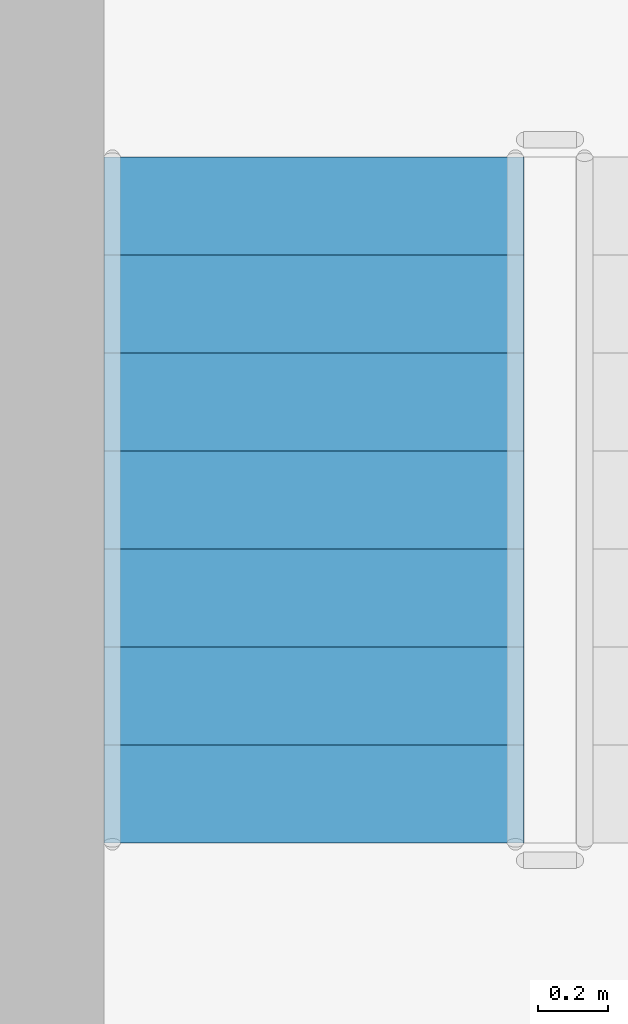
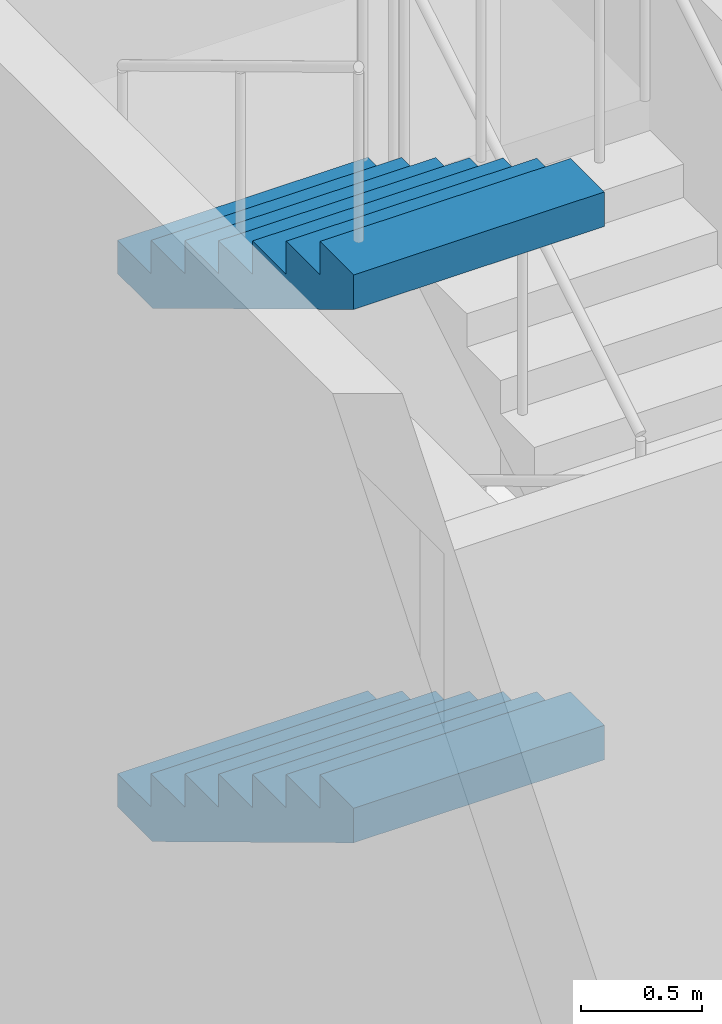
# One storey, part 67 of 101: 2 stair flights, 1 element without a shape of its own.
"""IFC4 building model written with IfcOpenShell, lengths in metres."""

from ifc_helpers import new_model, si_unit, direction, frame, origin, place, context, subcontext, project, spatial, triangles, material, type_object, element, aggregate, save


model = new_model("IFC4")

# Units and contexts
model_context = context("Model", 3, precision=1e-05, world=origin(), true_north=direction((0.0, 1.0)))
body_context = subcontext(model_context, "Body", "Model", "MODEL_VIEW")
ifc_project = project(units=[si_unit("LENGTHUNIT", "METRE"), si_unit("AREAUNIT", "SQUARE_METRE"), si_unit("VOLUMEUNIT", "CUBIC_METRE"), si_unit("PLANEANGLEUNIT", "RADIAN"), si_unit("MASSUNIT", "GRAM", prefix="KILO")], contexts=[model_context])

# Site, building, storey
site_placement = place(None, origin())
site = spatial("IfcSite", under=ifc_project, at=site_placement, CompositionType="ELEMENT")
building_placement = place(site_placement, origin())
building = spatial("IfcBuilding", under=site, at=building_placement, Name="Magnolia Steps Interchange", CompositionType="ELEMENT")
storey_placement = place(building_placement, frame((0.0, 0.0, -5.39990234375)))
storey = spatial("IfcBuildingStorey", under=building, at=storey_placement, Name="B1", CompositionType="ELEMENT", Elevation=-5.39990234375)

# Stair, stair flights
ifc_material_1 = material(Name="Concrete C40", Category="concrete")
stair_type = type_object("IfcStairType", Name="Exit stair 1200", PredefinedType="HALF_TURN_STAIR", material=ifc_material_1)
stair_placement = place(storey_placement, origin())
stair = element("IfcStair", 1, at=stair_placement, inside=storey, type_object=stair_type, Name="B1 Stair 23", PredefinedType="HALF_TURN_STAIR")
ifc_material_2 = material(Name="Concrete C40", Category="concrete")
stair_flight_type = type_object("IfcStairFlightType", Name="Exit stair flight", PredefinedType="STRAIGHT", material=ifc_material_2)
stair_flight_1_placement = place(storey_placement, frame((173.10009765625, 40.659912109375, 1.349853515625), z_axis=(0.0, 0.0, 1.0), x_axis=(0.0, -1.0, 0.0)))
stair_flight_1 = element("IfcStairFlight", 2, at=stair_flight_1_placement, type_object=stair_flight_type, Name="Stair 23 flight 2", NumberOfRisers=8, NumberOfTreads=7, PredefinedType="STRAIGHT", RiserHeight=0.16875, TreadLength=0.28, context=body_context, shape_type="Tessellation", body=[
    triangles([(0.0, -0.5999755859375, 0.0), (0.29052734375, -0.5999755859375, 0.0), (1.9599609375, -0.5999755859375, 1.00634765625), (1.9599609375, -0.5999755859375, 1.18115234375), (1.679931640625, -0.5999755859375, 1.18115234375), (1.679931640625, -0.5999755859375, 1.012451171875), (1.39990234375, -0.5999755859375, 1.012451171875), (1.39990234375, -0.5999755859375, 0.84375), (1.1201171875, -0.5999755859375, 0.84375), (1.1201171875, -0.5999755859375, 0.675048828125), (0.840087890625, -0.5999755859375, 0.675048828125), (0.840087890625, -0.5999755859375, 0.50634765625), (0.56005859375, -0.5999755859375, 0.50634765625), (0.56005859375, -0.5999755859375, 0.33740234375), (0.280029296875, -0.5999755859375, 0.33740234375), (0.280029296875, -0.5999755859375, 0.168701171875), (0.0, -0.5999755859375, 0.168701171875), (0.0, 0.5999755859375, 0.0), (0.29052734375, 0.5999755859375, 0.0), (1.9599609375, 0.5999755859375, 1.00634765625), (1.9599609375, 0.5999755859375, 1.18115234375), (1.679931640625, 0.5999755859375, 1.18115234375), (1.679931640625, 0.5999755859375, 1.012451171875), (1.39990234375, 0.5999755859375, 1.012451171875), (1.39990234375, 0.5999755859375, 0.84375), (1.1201171875, 0.5999755859375, 0.84375), (1.1201171875, 0.5999755859375, 0.675048828125), (0.840087890625, 0.5999755859375, 0.675048828125), (0.840087890625, 0.5999755859375, 0.50634765625), (0.56005859375, 0.5999755859375, 0.50634765625), (0.56005859375, 0.5999755859375, 0.33740234375), (0.280029296875, 0.5999755859375, 0.33740234375), (0.280029296875, 0.5999755859375, 0.168701171875), (0.0, 0.5999755859375, 0.168701171875), (0.0, 0.0, 0.0), (0.0, 0.0, 0.04217529296875), (0.0, 0.0, 0.0843505859375), (0.0, 0.0, 0.12652587890625), (0.0, 0.0, 0.168701171875), (0.0, -0.05, 0.0), (0.0, -0.05, 0.168701171875), (0.0, 0.05, 0.0), (0.0, 0.05, 0.168701171875), (0.046671549479166664, 0.0, 0.168701171875), (0.09334309895833333, 0.0, 0.168701171875), (0.1400146484375, 0.0, 0.168701171875), (0.18668619791666666, 0.0, 0.168701171875), (0.23335774739583334, 0.0, 0.168701171875), (0.280029296875, 0.0, 0.168701171875), (0.280029296875, -0.05, 0.168701171875), (0.280029296875, 0.05, 0.168701171875), (0.280029296875, 0.0, 0.21087646484375), (0.280029296875, 0.0, 0.2530517578125), (0.280029296875, 0.0, 0.29522705078125), (0.280029296875, 0.0, 0.33740234375), (0.280029296875, -0.05, 0.33740234375), (0.280029296875, 0.05, 0.33740234375), (0.3267008463541667, 0.0, 0.33740234375), (0.3733723958333333, 0.0, 0.33740234375), (0.4200439453125, 0.0, 0.33740234375), (0.46671549479166663, 0.0, 0.33740234375), (0.5133870442708334, 0.0, 0.33740234375), (0.56005859375, 0.0, 0.33740234375), (0.56005859375, -0.05, 0.33740234375), (0.56005859375, 0.05, 0.33740234375), (0.56005859375, 0.0, 0.379638671875), (0.56005859375, 0.0, 0.421875), (0.56005859375, 0.0, 0.464111328125), (0.56005859375, 0.0, 0.50634765625), (0.56005859375, -0.05, 0.50634765625), (0.56005859375, 0.05, 0.50634765625), (0.6067301432291666, 0.0, 0.50634765625), (0.6534016927083334, 0.0, 0.50634765625), (0.7000732421875, 0.0, 0.50634765625), (0.7467447916666666, 0.0, 0.50634765625), (0.7934163411458334, 0.0, 0.50634765625), (0.840087890625, 0.0, 0.50634765625), (0.840087890625, -0.05, 0.50634765625), (0.840087890625, 0.05, 0.50634765625), (0.840087890625, 0.0, 0.54852294921875), (0.840087890625, 0.0, 0.5906982421875), (0.840087890625, 0.0, 0.63287353515625), (0.840087890625, 0.0, 0.675048828125), (0.840087890625, -0.05, 0.675048828125), (0.840087890625, 0.05, 0.675048828125), (0.8867594401041666, 0.0, 0.675048828125), (0.9334309895833334, 0.0, 0.675048828125), (0.9801025390625, 0.0, 0.675048828125), (1.0267740885416667, 0.0, 0.675048828125), (1.0734456380208333, 0.0, 0.675048828125), (1.1201171875, 0.0, 0.675048828125), (1.1201171875, -0.05, 0.675048828125), (1.1201171875, 0.05, 0.675048828125), (1.1201171875, 0.0, 0.71722412109375), (1.1201171875, 0.0, 0.7593994140625), (1.1201171875, 0.0, 0.80157470703125), (1.1201171875, 0.0, 0.84375), (1.1201171875, -0.05, 0.84375), (1.1201171875, 0.05, 0.84375), (1.1900634765625, 0.0, 0.84375), (1.260009765625, 0.0, 0.84375), (1.3299560546875, 0.0, 0.84375), (1.39990234375, 0.0, 0.84375), (1.39990234375, -0.05, 0.84375), (1.39990234375, 0.05, 0.84375), (1.39990234375, 0.0, 0.88592529296875), (1.39990234375, 0.0, 0.9281005859375), (1.39990234375, 0.0, 0.97027587890625), (1.39990234375, 0.0, 1.012451171875), (1.39990234375, -0.05, 1.012451171875), (1.39990234375, 0.05, 1.012451171875), (1.4465738932291667, 0.0, 1.012451171875), (1.4932454427083333, 0.0, 1.012451171875), (1.5399169921875, 0.0, 1.012451171875), (1.5865885416666667, 0.0, 1.012451171875), (1.6332600911458333, 0.0, 1.012451171875), (1.679931640625, 0.0, 1.012451171875), (1.679931640625, -0.05, 1.012451171875), (1.679931640625, 0.05, 1.012451171875), (1.679931640625, 0.0, 1.05462646484375), (1.679931640625, 0.0, 1.0968017578125), (1.679931640625, 0.0, 1.13897705078125), (1.679931640625, 0.0, 1.18115234375), (1.679931640625, -0.05, 1.18115234375), (1.679931640625, 0.05, 1.18115234375), (1.7266031901041667, 0.0, 1.18115234375), (1.7732747395833333, 0.0, 1.18115234375), (1.8199462890625, 0.0, 1.18115234375), (1.8666178385416667, 0.0, 1.18115234375), (1.9132893880208333, 0.0, 1.18115234375), (1.9599609375, 0.0, 1.18115234375), (1.9599609375, -0.05, 1.18115234375), (1.9599609375, 0.05, 1.18115234375), (1.9599609375, 0.0, 1.137451171875), (1.9599609375, 0.0, 1.09375), (1.9599609375, 0.0, 1.050048828125), (1.9599609375, 0.0, 1.00634765625), (1.9599609375, -0.05, 1.00634765625), (1.9599609375, 0.05, 1.00634765625), (1.9003383091517858, 0.0, 0.9704066685267857), (1.8407156808035714, 0.0, 0.9344656808035714), (1.7810930524553572, 0.0, 0.8985246930803571), (1.7214704241071428, 0.0, 0.8625837053571428), (1.6618477957589286, 0.0, 0.8266427176339286), (1.6022251674107144, 0.0, 0.7907017299107143), (1.5426025390625, 0.0, 0.7547607421875), (1.4829799107142856, 0.0, 0.7188197544642857), (1.4233572823660714, 0.0, 0.6828787667410714), (1.3637346540178572, 0.0, 0.6469377790178572), (1.3041120256696428, 0.0, 0.6109967912946428), (1.2444893973214286, 0.0, 0.5750558035714286), (1.1848667689732144, 0.0, 0.5391148158482143), (1.125244140625, 0.0, 0.503173828125), (1.0656215122767856, 0.0, 0.4672328404017857), (1.0059988839285714, 0.0, 0.4312918526785714), (0.9463762555803572, 0.0, 0.3953508649553571), (0.8867536272321428, 0.0, 0.3594098772321429), (0.8271309988839286, 0.0, 0.3234688895089286), (0.7675083705357142, 0.0, 0.2875279017857143), (0.7078857421875, 0.0, 0.2515869140625), (0.6482631138392858, 0.0, 0.2156459263392857), (0.5886404854910714, 0.0, 0.1797049386160714), (0.5290178571428572, 0.0, 0.1437639508928571), (0.4693952287946428, 0.0, 0.1078229631696429), (0.4097726004464286, 0.0, 0.0718819754464286), (0.3501499720982142, 0.0, 0.0359409877232143), (0.29052734375, 0.0, 0.0), (0.29052734375, -0.05, 0.0), (0.29052734375, 0.05, 0.0), (0.24210611979166666, 0.0, 0.0), (0.19368489583333331, 0.0, 0.0), (0.145263671875, 0.0, 0.0), (0.09684244791666666, 0.0, 0.0), (0.04842122395833334, 0.0, 0.0)], [[1, 2, 3], [3, 4, 5], [3, 5, 6], [3, 6, 7], [3, 7, 8], [8, 9, 10], [3, 8, 10], [10, 11, 12], [3, 10, 12], [12, 13, 14], [3, 12, 14], [14, 15, 16], [3, 14, 16], [1, 3, 16], [16, 17, 1], [18, 20, 19], [20, 22, 21], [20, 23, 22], [20, 24, 23], [20, 25, 24], [25, 27, 26], [20, 27, 25], [27, 29, 28], [20, 29, 27], [29, 31, 30], [20, 31, 29], [31, 33, 32], [20, 33, 31], [18, 33, 20], [33, 18, 34], [1, 17, 41], [1, 41, 40], [40, 36, 35], [40, 37, 36], [40, 41, 37], [41, 38, 37], [41, 39, 38], [18, 43, 34], [18, 42, 43], [42, 35, 36], [42, 36, 37], [42, 37, 43], [43, 37, 38], [43, 38, 39], [17, 16, 50], [17, 50, 41], [41, 44, 39], [41, 45, 44], [41, 46, 45], [41, 50, 46], [50, 47, 46], [50, 48, 47], [50, 49, 48], [34, 51, 33], [34, 43, 51], [43, 39, 44], [43, 44, 45], [43, 45, 46], [43, 46, 51], [51, 46, 47], [51, 47, 48], [51, 48, 49], [16, 15, 56], [16, 56, 50], [50, 52, 49], [50, 53, 52], [50, 56, 53], [56, 54, 53], [56, 55, 54], [33, 57, 32], [33, 51, 57], [51, 49, 52], [51, 52, 53], [51, 53, 57], [57, 53, 54], [57, 54, 55], [15, 14, 64], [15, 64, 56], [56, 58, 55], [56, 59, 58], [56, 60, 59], [56, 64, 60], [64, 61, 60], [64, 62, 61], [64, 63, 62], [32, 65, 31], [32, 57, 65], [57, 55, 58], [57, 58, 59], [57, 59, 60], [57, 60, 65], [65, 60, 61], [65, 61, 62], [65, 62, 63], [14, 13, 70], [14, 70, 64], [64, 66, 63], [64, 67, 66], [64, 70, 67], [70, 68, 67], [70, 69, 68], [31, 71, 30], [31, 65, 71], [65, 63, 66], [65, 66, 67], [65, 67, 71], [71, 67, 68], [71, 68, 69], [13, 12, 78], [13, 78, 70], [70, 72, 69], [70, 73, 72], [70, 74, 73], [70, 78, 74], [78, 75, 74], [78, 76, 75], [78, 77, 76], [30, 79, 29], [30, 71, 79], [71, 69, 72], [71, 72, 73], [71, 73, 74], [71, 74, 79], [79, 74, 75], [79, 75, 76], [79, 76, 77], [12, 11, 84], [12, 84, 78], [78, 80, 77], [78, 81, 80], [78, 84, 81], [84, 82, 81], [84, 83, 82], [29, 85, 28], [29, 79, 85], [79, 77, 80], [79, 80, 81], [79, 81, 85], [85, 81, 82], [85, 82, 83], [11, 10, 92], [11, 92, 84], [84, 86, 83], [84, 87, 86], [84, 88, 87], [84, 92, 88], [92, 89, 88], [92, 90, 89], [92, 91, 90], [28, 93, 27], [28, 85, 93], [85, 83, 86], [85, 86, 87], [85, 87, 88], [85, 88, 93], [93, 88, 89], [93, 89, 90], [93, 90, 91], [10, 9, 98], [10, 98, 92], [92, 94, 91], [92, 95, 94], [92, 98, 95], [98, 96, 95], [98, 97, 96], [27, 99, 26], [27, 93, 99], [93, 91, 94], [93, 94, 95], [93, 95, 99], [99, 95, 96], [99, 96, 97], [9, 8, 104], [9, 104, 98], [98, 100, 97], [98, 101, 100], [98, 104, 101], [104, 102, 101], [104, 103, 102], [26, 105, 25], [26, 99, 105], [99, 97, 100], [99, 100, 101], [99, 101, 105], [105, 101, 102], [105, 102, 103], [8, 7, 110], [8, 110, 104], [104, 106, 103], [104, 107, 106], [104, 110, 107], [110, 108, 107], [110, 109, 108], [25, 111, 24], [25, 105, 111], [105, 103, 106], [105, 106, 107], [105, 107, 111], [111, 107, 108], [111, 108, 109], [7, 6, 118], [7, 118, 110], [110, 112, 109], [110, 113, 112], [110, 114, 113], [110, 118, 114], [118, 115, 114], [118, 116, 115], [118, 117, 116], [24, 119, 23], [24, 111, 119], [111, 109, 112], [111, 112, 113], [111, 113, 114], [111, 114, 119], [119, 114, 115], [119, 115, 116], [119, 116, 117], [6, 5, 124], [6, 124, 118], [118, 120, 117], [118, 121, 120], [118, 124, 121], [124, 122, 121], [124, 123, 122], [23, 125, 22], [23, 119, 125], [119, 117, 120], [119, 120, 121], [119, 121, 125], [125, 121, 122], [125, 122, 123], [5, 4, 132], [5, 132, 124], [124, 126, 123], [124, 127, 126], [124, 128, 127], [124, 132, 128], [132, 129, 128], [132, 130, 129], [132, 131, 130], [22, 133, 21], [22, 125, 133], [125, 123, 126], [125, 126, 127], [125, 127, 128], [125, 128, 133], [133, 128, 129], [133, 129, 130], [133, 130, 131], [4, 3, 138], [4, 138, 132], [132, 134, 131], [132, 135, 134], [132, 138, 135], [138, 136, 135], [138, 137, 136], [21, 139, 20], [21, 133, 139], [133, 131, 134], [133, 134, 135], [133, 135, 139], [139, 135, 136], [139, 136, 137], [3, 2, 168], [3, 168, 138], [138, 140, 137], [138, 141, 140], [138, 142, 141], [138, 143, 142], [138, 144, 143], [138, 145, 144], [138, 146, 145], [138, 147, 146], [138, 148, 147], [138, 149, 148], [138, 150, 149], [138, 151, 150], [138, 152, 151], [138, 153, 152], [138, 168, 153], [168, 154, 153], [168, 155, 154], [168, 156, 155], [168, 157, 156], [168, 158, 157], [168, 159, 158], [168, 160, 159], [168, 161, 160], [168, 162, 161], [168, 163, 162], [168, 164, 163], [168, 165, 164], [168, 166, 165], [168, 167, 166], [20, 169, 19], [20, 139, 169], [139, 137, 140], [139, 140, 141], [139, 141, 142], [139, 142, 143], [139, 143, 144], [139, 144, 145], [139, 145, 146], [139, 146, 147], [139, 147, 148], [139, 148, 149], [139, 149, 150], [139, 150, 151], [139, 151, 152], [139, 152, 153], [139, 153, 169], [169, 153, 154], [169, 154, 155], [169, 155, 156], [169, 156, 157], [169, 157, 158], [169, 158, 159], [169, 159, 160], [169, 160, 161], [169, 161, 162], [169, 162, 163], [169, 163, 164], [169, 164, 165], [169, 165, 166], [169, 166, 167], [2, 1, 40], [2, 40, 168], [168, 170, 167], [168, 171, 170], [168, 172, 171], [168, 40, 172], [40, 173, 172], [40, 174, 173], [40, 35, 174], [19, 42, 18], [19, 169, 42], [169, 167, 170], [169, 170, 171], [169, 171, 172], [169, 172, 42], [42, 172, 173], [42, 173, 174], [42, 174, 35]], closed=True),
])
stair_flight_2_placement = place(storey_placement, frame((173.10009765625, 40.659912109375, 4.0498046875), z_axis=(0.0, 0.0, 1.0), x_axis=(0.0, -1.0, 0.0)))
stair_flight_2 = element("IfcStairFlight", 3, at=stair_flight_2_placement, type_object=stair_flight_type, Name="Stair 23 flight 4", NumberOfRisers=8, NumberOfTreads=7, PredefinedType="STRAIGHT", RiserHeight=0.16875, TreadLength=0.28, context=body_context, shape_type="Tessellation", body=[
    triangles([(0.0, -0.5999755859375, 0.0), (0.29052734375, -0.5999755859375, 0.0), (1.9599609375, -0.5999755859375, 1.00634765625), (1.9599609375, -0.5999755859375, 1.18115234375), (1.679931640625, -0.5999755859375, 1.18115234375), (1.679931640625, -0.5999755859375, 1.012451171875), (1.39990234375, -0.5999755859375, 1.012451171875), (1.39990234375, -0.5999755859375, 0.84375), (1.1201171875, -0.5999755859375, 0.84375), (1.1201171875, -0.5999755859375, 0.675048828125), (0.840087890625, -0.5999755859375, 0.675048828125), (0.840087890625, -0.5999755859375, 0.50634765625), (0.56005859375, -0.5999755859375, 0.50634765625), (0.56005859375, -0.5999755859375, 0.33740234375), (0.280029296875, -0.5999755859375, 0.33740234375), (0.280029296875, -0.5999755859375, 0.168701171875), (0.0, -0.5999755859375, 0.168701171875), (0.0, 0.5999755859375, 0.0), (0.29052734375, 0.5999755859375, 0.0), (1.9599609375, 0.5999755859375, 1.00634765625), (1.9599609375, 0.5999755859375, 1.18115234375), (1.679931640625, 0.5999755859375, 1.18115234375), (1.679931640625, 0.5999755859375, 1.012451171875), (1.39990234375, 0.5999755859375, 1.012451171875), (1.39990234375, 0.5999755859375, 0.84375), (1.1201171875, 0.5999755859375, 0.84375), (1.1201171875, 0.5999755859375, 0.675048828125), (0.840087890625, 0.5999755859375, 0.675048828125), (0.840087890625, 0.5999755859375, 0.50634765625), (0.56005859375, 0.5999755859375, 0.50634765625), (0.56005859375, 0.5999755859375, 0.33740234375), (0.280029296875, 0.5999755859375, 0.33740234375), (0.280029296875, 0.5999755859375, 0.168701171875), (0.0, 0.5999755859375, 0.168701171875), (0.0, 0.0, 0.0), (0.0, 0.0, 0.04217529296875), (0.0, 0.0, 0.0843505859375), (0.0, 0.0, 0.12652587890625), (0.0, 0.0, 0.168701171875), (0.0, -0.05, 0.0), (0.0, -0.05, 0.168701171875), (0.0, 0.05, 0.0), (0.0, 0.05, 0.168701171875), (0.046671549479166664, 0.0, 0.168701171875), (0.09334309895833333, 0.0, 0.168701171875), (0.1400146484375, 0.0, 0.168701171875), (0.18668619791666666, 0.0, 0.168701171875), (0.23335774739583334, 0.0, 0.168701171875), (0.280029296875, 0.0, 0.168701171875), (0.280029296875, -0.05, 0.168701171875), (0.280029296875, 0.05, 0.168701171875), (0.280029296875, 0.0, 0.21087646484375), (0.280029296875, 0.0, 0.2530517578125), (0.280029296875, 0.0, 0.29522705078125), (0.280029296875, 0.0, 0.33740234375), (0.280029296875, -0.05, 0.33740234375), (0.280029296875, 0.05, 0.33740234375), (0.3267008463541667, 0.0, 0.33740234375), (0.3733723958333333, 0.0, 0.33740234375), (0.4200439453125, 0.0, 0.33740234375), (0.46671549479166663, 0.0, 0.33740234375), (0.5133870442708334, 0.0, 0.33740234375), (0.56005859375, 0.0, 0.33740234375), (0.56005859375, -0.05, 0.33740234375), (0.56005859375, 0.05, 0.33740234375), (0.56005859375, 0.0, 0.379638671875), (0.56005859375, 0.0, 0.421875), (0.56005859375, 0.0, 0.464111328125), (0.56005859375, 0.0, 0.50634765625), (0.56005859375, -0.05, 0.50634765625), (0.56005859375, 0.05, 0.50634765625), (0.6067301432291666, 0.0, 0.50634765625), (0.6534016927083334, 0.0, 0.50634765625), (0.7000732421875, 0.0, 0.50634765625), (0.7467447916666666, 0.0, 0.50634765625), (0.7934163411458334, 0.0, 0.50634765625), (0.840087890625, 0.0, 0.50634765625), (0.840087890625, -0.05, 0.50634765625), (0.840087890625, 0.05, 0.50634765625), (0.840087890625, 0.0, 0.54852294921875), (0.840087890625, 0.0, 0.5906982421875), (0.840087890625, 0.0, 0.63287353515625), (0.840087890625, 0.0, 0.675048828125), (0.840087890625, -0.05, 0.675048828125), (0.840087890625, 0.05, 0.675048828125), (0.8867594401041666, 0.0, 0.675048828125), (0.9334309895833334, 0.0, 0.675048828125), (0.9801025390625, 0.0, 0.675048828125), (1.0267740885416667, 0.0, 0.675048828125), (1.0734456380208333, 0.0, 0.675048828125), (1.1201171875, 0.0, 0.675048828125), (1.1201171875, -0.05, 0.675048828125), (1.1201171875, 0.05, 0.675048828125), (1.1201171875, 0.0, 0.71722412109375), (1.1201171875, 0.0, 0.7593994140625), (1.1201171875, 0.0, 0.80157470703125), (1.1201171875, 0.0, 0.84375), (1.1201171875, -0.05, 0.84375), (1.1201171875, 0.05, 0.84375), (1.1900634765625, 0.0, 0.84375), (1.260009765625, 0.0, 0.84375), (1.3299560546875, 0.0, 0.84375), (1.39990234375, 0.0, 0.84375), (1.39990234375, -0.05, 0.84375), (1.39990234375, 0.05, 0.84375), (1.39990234375, 0.0, 0.88592529296875), (1.39990234375, 0.0, 0.9281005859375), (1.39990234375, 0.0, 0.97027587890625), (1.39990234375, 0.0, 1.012451171875), (1.39990234375, -0.05, 1.012451171875), (1.39990234375, 0.05, 1.012451171875), (1.4465738932291667, 0.0, 1.012451171875), (1.4932454427083333, 0.0, 1.012451171875), (1.5399169921875, 0.0, 1.012451171875), (1.5865885416666667, 0.0, 1.012451171875), (1.6332600911458333, 0.0, 1.012451171875), (1.679931640625, 0.0, 1.012451171875), (1.679931640625, -0.05, 1.012451171875), (1.679931640625, 0.05, 1.012451171875), (1.679931640625, 0.0, 1.05462646484375), (1.679931640625, 0.0, 1.0968017578125), (1.679931640625, 0.0, 1.13897705078125), (1.679931640625, 0.0, 1.18115234375), (1.679931640625, -0.05, 1.18115234375), (1.679931640625, 0.05, 1.18115234375), (1.7266031901041667, 0.0, 1.18115234375), (1.7732747395833333, 0.0, 1.18115234375), (1.8199462890625, 0.0, 1.18115234375), (1.8666178385416667, 0.0, 1.18115234375), (1.9132893880208333, 0.0, 1.18115234375), (1.9599609375, 0.0, 1.18115234375), (1.9599609375, -0.05, 1.18115234375), (1.9599609375, 0.05, 1.18115234375), (1.9599609375, 0.0, 1.137451171875), (1.9599609375, 0.0, 1.09375), (1.9599609375, 0.0, 1.050048828125), (1.9599609375, 0.0, 1.00634765625), (1.9599609375, -0.05, 1.00634765625), (1.9599609375, 0.05, 1.00634765625), (1.9003383091517858, 0.0, 0.9704066685267857), (1.8407156808035714, 0.0, 0.9344656808035714), (1.7810930524553572, 0.0, 0.8985246930803571), (1.7214704241071428, 0.0, 0.8625837053571428), (1.6618477957589286, 0.0, 0.8266427176339286), (1.6022251674107144, 0.0, 0.7907017299107143), (1.5426025390625, 0.0, 0.7547607421875), (1.4829799107142856, 0.0, 0.7188197544642857), (1.4233572823660714, 0.0, 0.6828787667410714), (1.3637346540178572, 0.0, 0.6469377790178572), (1.3041120256696428, 0.0, 0.6109967912946428), (1.2444893973214286, 0.0, 0.5750558035714286), (1.1848667689732144, 0.0, 0.5391148158482143), (1.125244140625, 0.0, 0.503173828125), (1.0656215122767856, 0.0, 0.4672328404017857), (1.0059988839285714, 0.0, 0.4312918526785714), (0.9463762555803572, 0.0, 0.3953508649553571), (0.8867536272321428, 0.0, 0.3594098772321429), (0.8271309988839286, 0.0, 0.3234688895089286), (0.7675083705357142, 0.0, 0.2875279017857143), (0.7078857421875, 0.0, 0.2515869140625), (0.6482631138392858, 0.0, 0.2156459263392857), (0.5886404854910714, 0.0, 0.1797049386160714), (0.5290178571428572, 0.0, 0.1437639508928571), (0.4693952287946428, 0.0, 0.1078229631696429), (0.4097726004464286, 0.0, 0.0718819754464286), (0.3501499720982142, 0.0, 0.0359409877232143), (0.29052734375, 0.0, 0.0), (0.29052734375, -0.05, 0.0), (0.29052734375, 0.05, 0.0), (0.24210611979166666, 0.0, 0.0), (0.19368489583333331, 0.0, 0.0), (0.145263671875, 0.0, 0.0), (0.09684244791666666, 0.0, 0.0), (0.04842122395833334, 0.0, 0.0)], [[1, 2, 3], [3, 4, 5], [3, 5, 6], [3, 6, 7], [3, 7, 8], [8, 9, 10], [3, 8, 10], [10, 11, 12], [3, 10, 12], [12, 13, 14], [3, 12, 14], [14, 15, 16], [3, 14, 16], [1, 3, 16], [16, 17, 1], [18, 20, 19], [20, 22, 21], [20, 23, 22], [20, 24, 23], [20, 25, 24], [25, 27, 26], [20, 27, 25], [27, 29, 28], [20, 29, 27], [29, 31, 30], [20, 31, 29], [31, 33, 32], [20, 33, 31], [18, 33, 20], [33, 18, 34], [1, 17, 41], [1, 41, 40], [40, 36, 35], [40, 37, 36], [40, 41, 37], [41, 38, 37], [41, 39, 38], [18, 43, 34], [18, 42, 43], [42, 35, 36], [42, 36, 37], [42, 37, 43], [43, 37, 38], [43, 38, 39], [17, 16, 50], [17, 50, 41], [41, 44, 39], [41, 45, 44], [41, 46, 45], [41, 50, 46], [50, 47, 46], [50, 48, 47], [50, 49, 48], [34, 51, 33], [34, 43, 51], [43, 39, 44], [43, 44, 45], [43, 45, 46], [43, 46, 51], [51, 46, 47], [51, 47, 48], [51, 48, 49], [16, 15, 56], [16, 56, 50], [50, 52, 49], [50, 53, 52], [50, 56, 53], [56, 54, 53], [56, 55, 54], [33, 57, 32], [33, 51, 57], [51, 49, 52], [51, 52, 53], [51, 53, 57], [57, 53, 54], [57, 54, 55], [15, 14, 64], [15, 64, 56], [56, 58, 55], [56, 59, 58], [56, 60, 59], [56, 64, 60], [64, 61, 60], [64, 62, 61], [64, 63, 62], [32, 65, 31], [32, 57, 65], [57, 55, 58], [57, 58, 59], [57, 59, 60], [57, 60, 65], [65, 60, 61], [65, 61, 62], [65, 62, 63], [14, 13, 70], [14, 70, 64], [64, 66, 63], [64, 67, 66], [64, 70, 67], [70, 68, 67], [70, 69, 68], [31, 71, 30], [31, 65, 71], [65, 63, 66], [65, 66, 67], [65, 67, 71], [71, 67, 68], [71, 68, 69], [13, 12, 78], [13, 78, 70], [70, 72, 69], [70, 73, 72], [70, 74, 73], [70, 78, 74], [78, 75, 74], [78, 76, 75], [78, 77, 76], [30, 79, 29], [30, 71, 79], [71, 69, 72], [71, 72, 73], [71, 73, 74], [71, 74, 79], [79, 74, 75], [79, 75, 76], [79, 76, 77], [12, 11, 84], [12, 84, 78], [78, 80, 77], [78, 81, 80], [78, 84, 81], [84, 82, 81], [84, 83, 82], [29, 85, 28], [29, 79, 85], [79, 77, 80], [79, 80, 81], [79, 81, 85], [85, 81, 82], [85, 82, 83], [11, 10, 92], [11, 92, 84], [84, 86, 83], [84, 87, 86], [84, 88, 87], [84, 92, 88], [92, 89, 88], [92, 90, 89], [92, 91, 90], [28, 93, 27], [28, 85, 93], [85, 83, 86], [85, 86, 87], [85, 87, 88], [85, 88, 93], [93, 88, 89], [93, 89, 90], [93, 90, 91], [10, 9, 98], [10, 98, 92], [92, 94, 91], [92, 95, 94], [92, 98, 95], [98, 96, 95], [98, 97, 96], [27, 99, 26], [27, 93, 99], [93, 91, 94], [93, 94, 95], [93, 95, 99], [99, 95, 96], [99, 96, 97], [9, 8, 104], [9, 104, 98], [98, 100, 97], [98, 101, 100], [98, 104, 101], [104, 102, 101], [104, 103, 102], [26, 105, 25], [26, 99, 105], [99, 97, 100], [99, 100, 101], [99, 101, 105], [105, 101, 102], [105, 102, 103], [8, 7, 110], [8, 110, 104], [104, 106, 103], [104, 107, 106], [104, 110, 107], [110, 108, 107], [110, 109, 108], [25, 111, 24], [25, 105, 111], [105, 103, 106], [105, 106, 107], [105, 107, 111], [111, 107, 108], [111, 108, 109], [7, 6, 118], [7, 118, 110], [110, 112, 109], [110, 113, 112], [110, 114, 113], [110, 118, 114], [118, 115, 114], [118, 116, 115], [118, 117, 116], [24, 119, 23], [24, 111, 119], [111, 109, 112], [111, 112, 113], [111, 113, 114], [111, 114, 119], [119, 114, 115], [119, 115, 116], [119, 116, 117], [6, 5, 124], [6, 124, 118], [118, 120, 117], [118, 121, 120], [118, 124, 121], [124, 122, 121], [124, 123, 122], [23, 125, 22], [23, 119, 125], [119, 117, 120], [119, 120, 121], [119, 121, 125], [125, 121, 122], [125, 122, 123], [5, 4, 132], [5, 132, 124], [124, 126, 123], [124, 127, 126], [124, 128, 127], [124, 132, 128], [132, 129, 128], [132, 130, 129], [132, 131, 130], [22, 133, 21], [22, 125, 133], [125, 123, 126], [125, 126, 127], [125, 127, 128], [125, 128, 133], [133, 128, 129], [133, 129, 130], [133, 130, 131], [4, 3, 138], [4, 138, 132], [132, 134, 131], [132, 135, 134], [132, 138, 135], [138, 136, 135], [138, 137, 136], [21, 139, 20], [21, 133, 139], [133, 131, 134], [133, 134, 135], [133, 135, 139], [139, 135, 136], [139, 136, 137], [3, 2, 168], [3, 168, 138], [138, 140, 137], [138, 141, 140], [138, 142, 141], [138, 143, 142], [138, 144, 143], [138, 145, 144], [138, 146, 145], [138, 147, 146], [138, 148, 147], [138, 149, 148], [138, 150, 149], [138, 151, 150], [138, 152, 151], [138, 153, 152], [138, 168, 153], [168, 154, 153], [168, 155, 154], [168, 156, 155], [168, 157, 156], [168, 158, 157], [168, 159, 158], [168, 160, 159], [168, 161, 160], [168, 162, 161], [168, 163, 162], [168, 164, 163], [168, 165, 164], [168, 166, 165], [168, 167, 166], [20, 169, 19], [20, 139, 169], [139, 137, 140], [139, 140, 141], [139, 141, 142], [139, 142, 143], [139, 143, 144], [139, 144, 145], [139, 145, 146], [139, 146, 147], [139, 147, 148], [139, 148, 149], [139, 149, 150], [139, 150, 151], [139, 151, 152], [139, 152, 153], [139, 153, 169], [169, 153, 154], [169, 154, 155], [169, 155, 156], [169, 156, 157], [169, 157, 158], [169, 158, 159], [169, 159, 160], [169, 160, 161], [169, 161, 162], [169, 162, 163], [169, 163, 164], [169, 164, 165], [169, 165, 166], [169, 166, 167], [2, 1, 40], [2, 40, 168], [168, 170, 167], [168, 171, 170], [168, 172, 171], [168, 40, 172], [40, 173, 172], [40, 174, 173], [40, 35, 174], [19, 42, 18], [19, 169, 42], [169, 167, 170], [169, 170, 171], [169, 171, 172], [169, 172, 42], [42, 172, 173], [42, 173, 174], [42, 174, 35]], closed=True),
])
aggregate(stair, [stair_flight_1, stair_flight_2])

save(model, "model.ifc")
